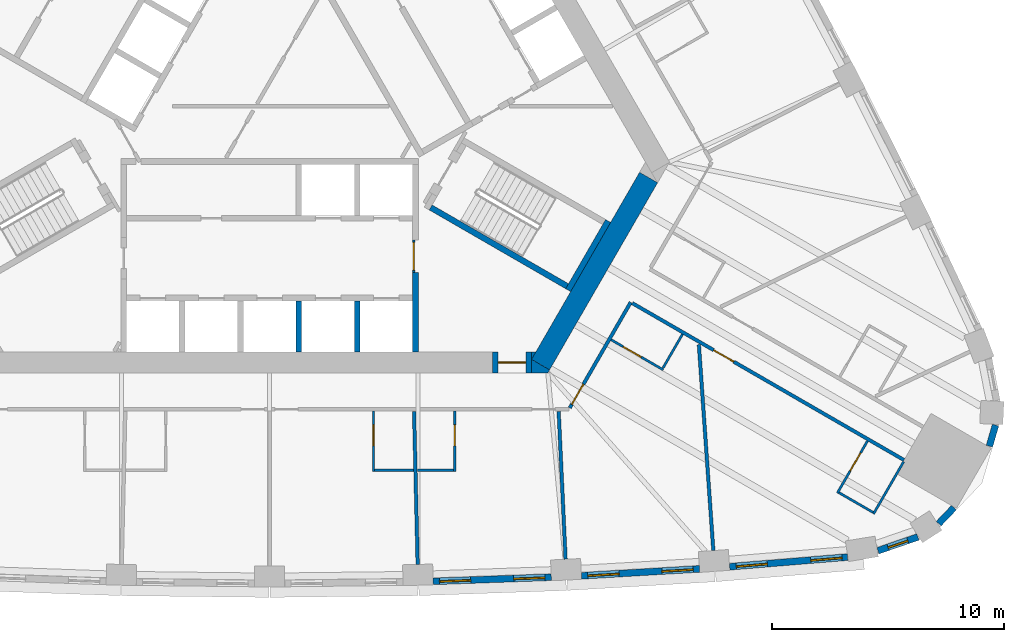
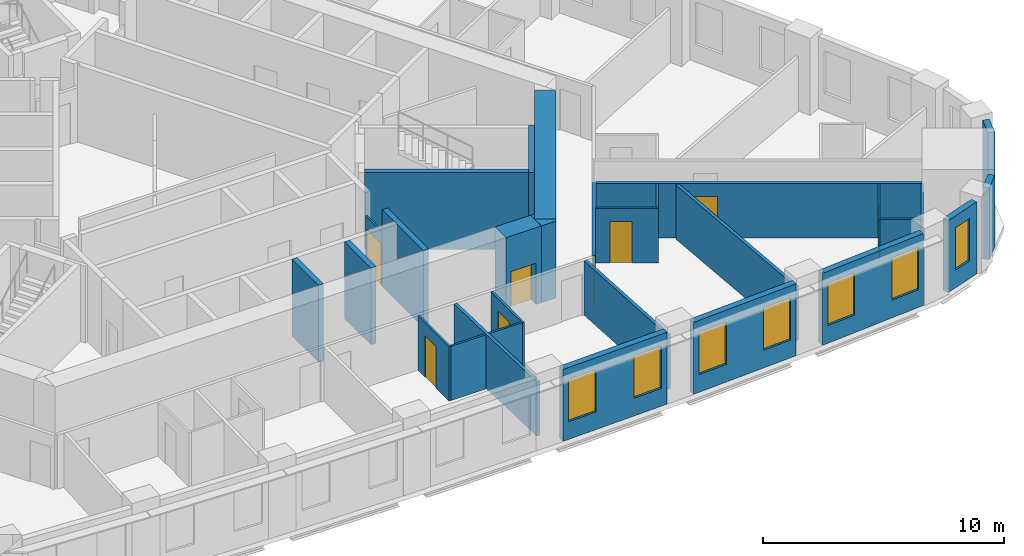
# One storey, part 7 of 13: 30 walls, 8 doors, 7 windows, 15 openings.
"""IFC4 building model written with IfcOpenShell, lengths in metres."""

from ifc_helpers import new_model, si_unit, direction, frame, frame_2d, origin, place, context, subcontext, project, spatial, polyline, rectangle, outline, extrude, material, layer, layer_set, type_object, element, fill, save


model = new_model("IFC4")

# Units and contexts
model_context = context("Model", 3, precision=1e-05, world=origin(), true_north=direction((0.0, 1.0)))
body_context = subcontext(model_context, "Body", "Model", "MODEL_VIEW")
ifc_project = project(units=[si_unit("LENGTHUNIT", "METRE"), si_unit("AREAUNIT", "SQUARE_METRE"), si_unit("VOLUMEUNIT", "CUBIC_METRE"), si_unit("PLANEANGLEUNIT", "RADIAN"), si_unit("MASSUNIT", "GRAM", prefix="KILO")], contexts=[model_context])

# Site, building, storey
site_placement = place(None, origin())
site = spatial("IfcSite", under=ifc_project, at=site_placement, CompositionType="ELEMENT")
building_placement = place(site_placement, origin())
building = spatial("IfcBuilding", under=site, at=building_placement, Name="Mestral Congress Tower", CompositionType="ELEMENT")
storey_placement = place(building_placement, frame((0.0, 0.0, 95.39990234375)))
storey = spatial("IfcBuildingStorey", under=building, at=storey_placement, Name="L22", CompositionType="ELEMENT", Elevation=95.39990234375)

# Wall, opening, door
ifc_material_1 = material(Name="Fire-rated board partition")
ifc_layer_1 = layer(ifc_material_1, 0.090087890625)
ifc_layer_set_1 = layer_set([ifc_layer_1], Name="Fire-rated board partition")
wall_type_1 = type_object("IfcWallType", Name="Core partition 150 door-wall 90", PredefinedType="PARTITIONING", material=ifc_layer_set_1)
wall_1_placement = place(storey_placement, frame((6.219970703125, -7.266357421875, 0.0), z_axis=(0.0, 0.0, 1.0), x_axis=(0.0, -1.0, 0.0)))
wall_1 = element("IfcWall", 1, at=wall_1_placement, inside=storey, type_object=wall_type_1, Name="L22 door wall", PredefinedType="PARTITIONING", context=body_context, shape_type="SweptSolid", body=[
    extrude(rectangle(XDim=1.400146484375, YDim=0.090087890625, at=frame_2d((0.7001953125, 0.0))), origin(), (0.0, 0.0, 1.0), 2.75),
])
opening_1_placement = place(wall_1_placement, frame((0.10009765625, 0.0, 0.0)))
opening_1 = element("IfcOpeningElement", 2, at=opening_1_placement, cuts=wall_1, Name="Opening LB0-WL1", PredefinedType="OPENING", context=body_context, shape_type="SweptSolid", body=[
    extrude(rectangle(XDim=1.199951171875, YDim=2.10009765625, at=frame_2d((0.60009765625, 1.050048828125))), frame((0.0, 0.054931640625, 0.0), z_axis=(0.0, -1.0, 0.0), x_axis=(1.0, 0.0, 0.0)), (0.0, 0.0, 1.0), 0.110107421875),
])
ifc_material_2 = material(Name="Fire-rated steel door set", Category="steel")
door_type_1 = type_object("IfcDoorType", Name="Core door LB 1200x2100", OperationType="SINGLE_SWING_LEFT", PredefinedType="DOOR", material=ifc_material_2)
door_1_placement = place(opening_1_placement, origin())
door_1 = element("IfcDoor", 3, at=door_1_placement, inside=storey, type_object=door_type_1, Name="Door LB0-WL1", OperationType="SINGLE_SWING_LEFT", OverallHeight=2.10009765625, OverallWidth=1.199951171875, PredefinedType="DOOR", context=body_context, shape_type="SweptSolid", body=[
    extrude(rectangle(XDim=1.199951171875, YDim=2.10009765625, at=frame_2d((0.60009765625, 1.050048828125))), frame((0.0, 0.02490234375, 0.0), z_axis=(0.0, -1.0, 0.0), x_axis=(1.0, 0.0, 0.0)), (0.0, 0.0, 1.0), 0.050048828125),
])
fill(opening_1, door_1)

# Walls
ifc_material_3 = material(Name="Concrete C60/75", Category="concrete")
ifc_layer_2 = layer(ifc_material_3, 0.89990234375)
ifc_layer_set_2 = layer_set([ifc_layer_2], Name="Concrete C60/75")
wall_type_2 = type_object("IfcWallType", Name="Core wall RC 900", PredefinedType="SOLIDWALL", material=ifc_layer_set_2)
wall_2_placement = place(storey_placement, frame((11.69482421875, -12.643798828125, 0.0), z_axis=(0.0, 0.0, 1.0), x_axis=(0.500010229568, 0.86601949766, 0.0)))
element("IfcWall", 4, at=wall_2_placement, inside=storey, type_object=wall_type_2, Name="L22 core wall", PredefinedType="SOLIDWALL", context=body_context, shape_type="SweptSolid", body=[
    extrude(rectangle(XDim=9.326416015625, YDim=0.89990234375, at=frame_2d((4.6630859375, 0.0))), origin(), (0.0, 0.0, 1.0), 3.900146484375),
])
placement = place(storey_placement, origin())
element("IfcWall", 5, at=placement, inside=storey, type_object=wall_type_2, Name="L22 core wall", PredefinedType="SOLIDWALL", context=body_context, shape_type="SweptSolid", body=[
    extrude(outline(polyline([(12.0087890625, -13.0), (11.31201171875, -13.0), (11.31201171875, -12.425048828125), (12.08349609375, -12.87060546875), (12.0087890625, -13.0)])), origin(), (0.0, 0.0, 1.0), 3.900146484375),
])
element("IfcWall", 6, at=placement, inside=storey, type_object=wall_type_2, Name="L22 core wall", PredefinedType="SOLIDWALL", context=body_context, shape_type="SweptSolid", body=[
    extrude(outline(polyline([(11.4892578125, -12.10009765625), (11.31201171875, -12.4072265625), (11.31201171875, -12.10009765625), (11.4892578125, -12.10009765625)])), origin(), (0.0, 0.0, 1.0), 3.900146484375),
])

# Wall, opening, door
wall_5_placement = place(storey_placement, frame((11.311767578125, -12.550048828125, 0.0), z_axis=(0.0, 0.0, 1.0), x_axis=(-1.0, 0.0, 0.0)))
wall_5 = element("IfcWall", 7, at=wall_5_placement, inside=storey, type_object=wall_type_2, Name="L22 door wall", PredefinedType="SOLIDWALL", context=body_context, shape_type="SweptSolid", body=[
    extrude(rectangle(XDim=1.699951171875, YDim=0.89990234375, at=frame_2d((0.85009765625, 0.0))), origin(), (0.0, 0.0, 1.0), 3.900146484375),
])
opening_2_placement = place(wall_5_placement, frame((0.25, 0.0, 0.0)))
opening_2 = element("IfcOpeningElement", 8, at=opening_2_placement, cuts=wall_5, Name="Opening XD1", PredefinedType="OPENING", context=body_context, shape_type="SweptSolid", body=[
    extrude(rectangle(XDim=1.199951171875, YDim=2.10009765625, at=frame_2d((0.60009765625, 1.050048828125))), frame((0.0, 0.4599609375, 0.0), z_axis=(0.0, -1.0, 0.0), x_axis=(1.0, 0.0, 0.0)), (0.0, 0.0, 1.0), 0.919921875),
])
door_type_2 = type_object("IfcDoorType", Name="Core door XD 1200x2100", OperationType="SINGLE_SWING_LEFT", PredefinedType="DOOR", material=ifc_material_2)
door_2_placement = place(opening_2_placement, origin())
door_2 = element("IfcDoor", 9, at=door_2_placement, inside=storey, type_object=door_type_2, Name="Door XD1", OperationType="SINGLE_SWING_LEFT", OverallHeight=2.10009765625, OverallWidth=1.199951171875, PredefinedType="DOOR", context=body_context, shape_type="SweptSolid", body=[
    extrude(rectangle(XDim=1.199951171875, YDim=2.10009765625, at=frame_2d((0.60009765625, 1.050048828125))), frame((0.0, 0.02490234375, 0.0), z_axis=(0.0, -1.0, 0.0), x_axis=(1.0, 0.0, 0.0)), (0.0, 0.0, 1.0), 0.050048828125),
])
fill(opening_2, door_2)

# Wall, openings, windows
ifc_material_4 = material(Name="Precast concrete C40/50 with limestone facing", Category="masonry")
ifc_layer_3 = layer(ifc_material_4, 0.2900390625)
ifc_layer_set_3 = layer_set([ifc_layer_3], Name="Precast concrete C40/50 with limestone facing")
wall_type_3 = type_object("IfcWallType", Name="Facade stone wall 290", PredefinedType="SOLIDWALL", material=ifc_layer_set_3)
wall_6_placement = place(storey_placement, frame((7.059326171875, -22.000732421875, 0.0), z_axis=(0.0, 0.0, 1.0), x_axis=(0.999385993957, 0.035037623812, 0.0)))
wall_6 = element("IfcWall", 10, at=wall_6_placement, inside=storey, type_object=wall_type_3, Name="Facade wall F0-05", PredefinedType="SOLIDWALL", context=body_context, shape_type="SweptSolid", body=[
    extrude(rectangle(XDim=5.1005859375, YDim=0.2900390625, at=frame_2d((2.55029296875, 0.0))), origin(), (0.0, 0.0, 1.0), 3.650146484375),
])
opening_3_placement = place(wall_6_placement, frame((0.272705078125, 0.0, 0.89990234375)))
opening_3 = element("IfcOpeningElement", 11, at=opening_3_placement, cuts=wall_6, Name="Opening W2", PredefinedType="OPENING", context=body_context, shape_type="SweptSolid", body=[
    extrude(rectangle(XDim=1.35009765625, YDim=2.14990234375, at=frame_2d((0.675048828125, 1.074951171875))), frame((0.0, 0.155029296875, 0.0), z_axis=(0.0, -1.0, 0.0), x_axis=(1.0, 0.0, 0.0)), (0.0, 0.0, 1.0), 0.31005859375),
])
opening_4_placement = place(wall_6_placement, frame((3.477783203125, 0.0, 0.89990234375)))
opening_4 = element("IfcOpeningElement", 12, at=opening_4_placement, cuts=wall_6, Name="Opening W2", PredefinedType="OPENING", context=body_context, shape_type="SweptSolid", body=[
    extrude(rectangle(XDim=1.35009765625, YDim=2.14990234375, at=frame_2d((0.675048828125, 1.074951171875))), frame((0.0, 0.155029296875, 0.0), z_axis=(0.0, -1.0, 0.0), x_axis=(1.0, 0.0, 0.0)), (0.0, 0.0, 1.0), 0.31005859375),
])
ifc_material_5 = material(Name="Clear low-emissivity double glazing", Category="glass")
window_type_1 = type_object("IfcWindowType", Name="Facade punched window 1350 x 2150 sill 900", PartitioningType="DOUBLE_PANEL_VERTICAL", PredefinedType="WINDOW", material=ifc_material_5)
window_1_placement = place(opening_3_placement, origin())
window_1 = element("IfcWindow", 13, at=window_1_placement, inside=storey, type_object=window_type_1, Name="Window F0-05a", OverallHeight=2.14990234375, OverallWidth=1.35009765625, PartitioningType="DOUBLE_PANEL_VERTICAL", PredefinedType="WINDOW", context=body_context, shape_type="SweptSolid", body=[
    extrude(rectangle(XDim=1.35009765625, YDim=2.14990234375, at=frame_2d((0.675048828125, 1.074951171875))), frame((0.0, 0.01513671875, 0.0), z_axis=(0.0, -1.0, 0.0), x_axis=(1.0, 0.0, 0.0)), (0.0, 0.0, 1.0), 0.06005859375),
])
fill(opening_3, window_1)
window_2_placement = place(opening_4_placement, origin())
window_2 = element("IfcWindow", 14, at=window_2_placement, inside=storey, type_object=window_type_1, Name="Window F0-05b", OverallHeight=2.14990234375, OverallWidth=1.35009765625, PartitioningType="DOUBLE_PANEL_VERTICAL", PredefinedType="WINDOW", context=body_context, shape_type="SweptSolid", body=[
    extrude(rectangle(XDim=1.35009765625, YDim=2.14990234375, at=frame_2d((0.675048828125, 1.074951171875))), frame((0.0, 0.01513671875, 0.0), z_axis=(0.0, -1.0, 0.0), x_axis=(1.0, 0.0, 0.0)), (0.0, 0.0, 1.0), 0.06005859375),
])
fill(opening_4, window_2)

wall_7_placement = place(storey_placement, frame((13.4619140625, -21.760986328125, 0.0), z_axis=(0.0, 0.0, 1.0), x_axis=(0.998290511436, 0.058447025388, 0.0)))
wall_7 = element("IfcWall", 15, at=wall_7_placement, inside=storey, type_object=wall_type_3, Name="Facade wall F0-06", PredefinedType="SOLIDWALL", context=body_context, shape_type="SweptSolid", body=[
    extrude(rectangle(XDim=5.100341796875, YDim=0.2900390625, at=frame_2d((2.55029296875, 0.0))), origin(), (0.0, 0.0, 1.0), 3.650146484375),
])
opening_5_placement = place(wall_7_placement, frame((0.2724609375, 0.0, 0.89990234375)))
opening_5 = element("IfcOpeningElement", 16, at=opening_5_placement, cuts=wall_7, Name="Opening W2", PredefinedType="OPENING", context=body_context, shape_type="SweptSolid", body=[
    extrude(rectangle(XDim=1.35009765625, YDim=2.14990234375, at=frame_2d((0.675048828125, 1.074951171875))), frame((0.0, 0.155029296875, 0.0), z_axis=(0.0, -1.0, 0.0), x_axis=(1.0, 0.0, 0.0)), (0.0, 0.0, 1.0), 0.31005859375),
])
opening_6_placement = place(wall_7_placement, frame((3.477783203125, 0.0, 0.89990234375)))
opening_6 = element("IfcOpeningElement", 17, at=opening_6_placement, cuts=wall_7, Name="Opening W2", PredefinedType="OPENING", context=body_context, shape_type="SweptSolid", body=[
    extrude(rectangle(XDim=1.35009765625, YDim=2.14990234375, at=frame_2d((0.675048828125, 1.074951171875))), frame((0.0, 0.155029296875, 0.0), z_axis=(0.0, -1.0, 0.0), x_axis=(1.0, 0.0, 0.0)), (0.0, 0.0, 1.0), 0.31005859375),
])
window_3_placement = place(opening_5_placement, origin())
window_3 = element("IfcWindow", 18, at=window_3_placement, inside=storey, type_object=window_type_1, Name="Window F0-06a", OverallHeight=2.14990234375, OverallWidth=1.35009765625, PartitioningType="DOUBLE_PANEL_VERTICAL", PredefinedType="WINDOW", context=body_context, shape_type="SweptSolid", body=[
    extrude(rectangle(XDim=1.35009765625, YDim=2.14990234375, at=frame_2d((0.675048828125, 1.074951171875))), frame((0.0, 0.01513671875, 0.0), z_axis=(0.0, -1.0, 0.0), x_axis=(1.0, 0.0, 0.0)), (0.0, 0.0, 1.0), 0.06005859375),
])
fill(opening_5, window_3)
window_4_placement = place(opening_6_placement, origin())
window_4 = element("IfcWindow", 19, at=window_4_placement, inside=storey, type_object=window_type_1, Name="Window F0-06b", OverallHeight=2.14990234375, OverallWidth=1.35009765625, PartitioningType="DOUBLE_PANEL_VERTICAL", PredefinedType="WINDOW", context=body_context, shape_type="SweptSolid", body=[
    extrude(rectangle(XDim=1.35009765625, YDim=2.14990234375, at=frame_2d((0.675048828125, 1.074951171875))), frame((0.0, 0.01513671875, 0.0), z_axis=(0.0, -1.0, 0.0), x_axis=(1.0, 0.0, 0.0)), (0.0, 0.0, 1.0), 0.06005859375),
])
fill(opening_6, window_4)

wall_8_placement = place(storey_placement, frame((19.856689453125, -21.37109375, 0.0), z_axis=(0.0, 0.0, 1.0), x_axis=(0.99665273362, 0.081751627308, 0.0)))
wall_8 = element("IfcWall", 20, at=wall_8_placement, inside=storey, type_object=wall_type_3, Name="Facade wall F0-07", PredefinedType="SOLIDWALL", context=body_context, shape_type="SweptSolid", body=[
    extrude(rectangle(XDim=5.106689453125, YDim=0.2900390625, at=frame_2d((2.55322265625, 0.0))), origin(), (0.0, 0.0, 1.0), 3.650146484375),
])
opening_7_placement = place(wall_8_placement, frame((0.285400390625, 0.0, 0.89990234375)))
opening_7 = element("IfcOpeningElement", 21, at=opening_7_placement, cuts=wall_8, Name="Opening W2", PredefinedType="OPENING", context=body_context, shape_type="SweptSolid", body=[
    extrude(rectangle(XDim=1.35009765625, YDim=2.14990234375, at=frame_2d((0.675048828125, 1.074951171875))), frame((0.0, 0.155029296875, 0.0), z_axis=(0.0, -1.0, 0.0), x_axis=(1.0, 0.0, 0.0)), (0.0, 0.0, 1.0), 0.31005859375),
])
opening_8_placement = place(wall_8_placement, frame((3.51611328125, 0.0, 0.89990234375)))
opening_8 = element("IfcOpeningElement", 22, at=opening_8_placement, cuts=wall_8, Name="Opening W2", PredefinedType="OPENING", context=body_context, shape_type="SweptSolid", body=[
    extrude(rectangle(XDim=1.35009765625, YDim=2.14990234375, at=frame_2d((0.675048828125, 1.074951171875))), frame((0.0, 0.155029296875, 0.0), z_axis=(0.0, -1.0, 0.0), x_axis=(1.0, 0.0, 0.0)), (0.0, 0.0, 1.0), 0.31005859375),
])
window_5_placement = place(opening_7_placement, origin())
window_5 = element("IfcWindow", 23, at=window_5_placement, inside=storey, type_object=window_type_1, Name="Window F0-07a", OverallHeight=2.14990234375, OverallWidth=1.35009765625, PartitioningType="DOUBLE_PANEL_VERTICAL", PredefinedType="WINDOW", context=body_context, shape_type="SweptSolid", body=[
    extrude(rectangle(XDim=1.35009765625, YDim=2.14990234375, at=frame_2d((0.675048828125, 1.074951171875))), frame((0.0, 0.01513671875, 0.0), z_axis=(0.0, -1.0, 0.0), x_axis=(1.0, 0.0, 0.0)), (0.0, 0.0, 1.0), 0.06005859375),
])
fill(opening_7, window_5)
window_6_placement = place(opening_8_placement, origin())
window_6 = element("IfcWindow", 24, at=window_6_placement, inside=storey, type_object=window_type_1, Name="Window F0-07b", OverallHeight=2.14990234375, OverallWidth=1.35009765625, PartitioningType="DOUBLE_PANEL_VERTICAL", PredefinedType="WINDOW", context=body_context, shape_type="SweptSolid", body=[
    extrude(rectangle(XDim=1.35009765625, YDim=2.14990234375, at=frame_2d((0.675048828125, 1.074951171875))), frame((0.0, 0.01513671875, 0.0), z_axis=(0.0, -1.0, 0.0), x_axis=(1.0, 0.0, 0.0)), (0.0, 0.0, 1.0), 0.06005859375),
])
fill(opening_8, window_6)

# Wall, opening, window
wall_9_placement = place(storey_placement, frame((26.260986328125, -20.67919921875, 0.0), z_axis=(0.0, 0.0, 1.0), x_axis=(0.945385815453, 0.325953462844, 0.0)))
wall_9 = element("IfcWall", 25, at=wall_9_placement, inside=storey, type_object=wall_type_3, Name="Facade wall K0-0", PredefinedType="SOLIDWALL", context=body_context, shape_type="SweptSolid", body=[
    extrude(rectangle(XDim=1.8193359375, YDim=0.2900390625, at=frame_2d((0.90966796875, 0.0))), origin(), (0.0, 0.0, 1.0), 3.650146484375),
])
opening_9_placement = place(wall_9_placement, frame((0.459716796875, 0.0, 0.89990234375)))
opening_9 = element("IfcOpeningElement", 26, at=opening_9_placement, cuts=wall_9, Name="Opening W3", PredefinedType="OPENING", context=body_context, shape_type="SweptSolid", body=[
    extrude(rectangle(XDim=0.89990234375, YDim=2.14990234375, at=frame_2d((0.449951171875, 1.074951171875))), frame((0.0, 0.155029296875, 0.0), z_axis=(0.0, -1.0, 0.0), x_axis=(1.0, 0.0, 0.0)), (0.0, 0.0, 1.0), 0.31005859375),
])
window_type_2 = type_object("IfcWindowType", Name="Facade punched window 900 x 2150 sill 900", PartitioningType="SINGLE_PANEL", PredefinedType="WINDOW", material=ifc_material_5)
window_7_placement = place(opening_9_placement, origin())
window_7 = element("IfcWindow", 27, at=window_7_placement, inside=storey, type_object=window_type_2, Name="Window K0-0", OverallHeight=2.14990234375, OverallWidth=0.89990234375, PartitioningType="SINGLE_PANEL", PredefinedType="WINDOW", context=body_context, shape_type="SweptSolid", body=[
    extrude(rectangle(XDim=0.89990234375, YDim=2.14990234375, at=frame_2d((0.449951171875, 1.074951171875))), frame((0.0, 0.01513671875, 0.0), z_axis=(0.0, -1.0, 0.0), x_axis=(1.0, 0.0, 0.0)), (0.0, 0.0, 1.0), 0.06005859375),
])
fill(opening_9, window_7)

# Walls
wall_10_placement = place(storey_placement, frame((28.88037109375, -19.50927734375, 0.0), z_axis=(0.0, 0.0, 1.0), x_axis=(0.690414427296, 0.723414071319, 0.0)))
element("IfcWall", 28, at=wall_10_placement, inside=storey, type_object=wall_type_3, Name="Facade wall K0-1", PredefinedType="SOLIDWALL", context=body_context, shape_type="SweptSolid", body=[
    extrude(rectangle(XDim=0.947021484375, YDim=0.2900390625, at=frame_2d((0.4736328125, 0.0))), origin(), (0.0, 0.0, 1.0), 3.650146484375),
])
wall_11_placement = place(storey_placement, frame((31.069091796875, -16.165283203125, 0.0), z_axis=(0.0, 0.0, 1.0), x_axis=(0.281454582132, 0.95957455062, 0.0)))
element("IfcWall", 29, at=wall_11_placement, inside=storey, type_object=wall_type_3, Name="Facade wall K0-2", PredefinedType="SOLIDWALL", context=body_context, shape_type="SweptSolid", body=[
    extrude(rectangle(XDim=0.947265625, YDim=0.2900390625, at=frame_2d((0.4736328125, 0.0))), origin(), (0.0, 0.0, 1.0), 3.650146484375),
])

# Wall, opening, door
ifc_material_6 = material(Name="Gypsum board partition on metal studs with mineral wool", Category="composite")
ifc_layer_4 = layer(ifc_material_6, 0.10009765625)
ifc_layer_set_4 = layer_set([ifc_layer_4], Name="Gypsum board partition on metal studs with mineral wool")
wall_type_4 = type_object("IfcWallType", Name="Hotel partition wall 100", PredefinedType="PARTITIONING", material=ifc_layer_set_4)
wall_12_placement = place(storey_placement, frame((4.480224609375, -14.64990234375, 0.0), z_axis=(0.0, 0.0, 1.0), x_axis=(0.0, -1.0, 0.0)))
wall_12 = element("IfcWall", 30, at=wall_12_placement, inside=storey, type_object=wall_type_4, Name="L22-h-pod05a", PredefinedType="PARTITIONING", context=body_context, shape_type="SweptSolid", body=[
    extrude(rectangle(XDim=2.60009765625, YDim=0.10009765625, at=frame_2d((1.300048828125, 0.0))), origin(), (0.0, 0.0, 1.0), 2.75),
])
opening_10_placement = place(wall_12_placement, frame((0.60009765625, 0.0, 0.0)))
opening_10 = element("IfcOpeningElement", 31, at=opening_10_placement, cuts=wall_12, Name="Opening H07-010", PredefinedType="OPENING", context=body_context, shape_type="SweptSolid", body=[
    extrude(rectangle(XDim=0.89990234375, YDim=2.10009765625, at=frame_2d((0.449951171875, 1.050048828125))), frame((0.0, 0.06005859375, 0.0), z_axis=(0.0, -1.0, 0.0), x_axis=(1.0, 0.0, 0.0)), (0.0, 0.0, 1.0), 0.1201171875),
])
ifc_material_7 = material(Name="Timber veneer door leaf in timber frame", Category="wood")
door_type_3 = type_object("IfcDoorType", Name="Bathroom door 900", OperationType="SINGLE_SWING_LEFT", PredefinedType="DOOR", material=ifc_material_7)
door_3_placement = place(opening_10_placement, origin())
door_3 = element("IfcDoor", 32, at=door_3_placement, inside=storey, type_object=door_type_3, Name="L22-h-d010", OperationType="SINGLE_SWING_LEFT", OverallHeight=2.10009765625, OverallWidth=0.89990234375, PredefinedType="DOOR", context=body_context, shape_type="SweptSolid", body=[
    extrude(rectangle(XDim=0.89990234375, YDim=2.10009765625, at=frame_2d((0.449951171875, 1.050048828125))), frame((0.0, 0.02490234375, 0.0), z_axis=(0.0, -1.0, 0.0), x_axis=(1.0, 0.0, 0.0)), (0.0, 0.0, 1.0), 0.050048828125),
])
fill(opening_10, door_3)

# Wall
wall_13_placement = place(storey_placement, frame((4.5302734375, -17.199951171875, 0.0), z_axis=(0.0, 0.0, 1.0), x_axis=(1.0, 0.0, 0.0)))
element("IfcWall", 33, at=wall_13_placement, inside=storey, type_object=wall_type_4, Name="L22-h-pod05b", PredefinedType="PARTITIONING", context=body_context, shape_type="SweptSolid", body=[
    extrude(rectangle(XDim=1.679931640625, YDim=0.10009765625, at=frame_2d((0.83984375, 0.0))), origin(), (0.0, 0.0, 1.0), 2.75),
])

# Wall, opening, door
wall_14_placement = place(storey_placement, frame((7.98779296875, -17.25, 0.0), z_axis=(0.0, 0.0, 1.0), x_axis=(0.0, 1.0, 0.0)))
wall_14 = element("IfcWall", 34, at=wall_14_placement, inside=storey, type_object=wall_type_4, Name="L22-h-pod06a", PredefinedType="PARTITIONING", context=body_context, shape_type="SweptSolid", body=[
    extrude(rectangle(XDim=2.60009765625, YDim=0.10009765625, at=frame_2d((1.300048828125, 0.0))), origin(), (0.0, 0.0, 1.0), 2.75),
])
opening_11_placement = place(wall_14_placement, frame((1.10009765625, 0.0, 0.0)))
opening_11 = element("IfcOpeningElement", 35, at=opening_11_placement, cuts=wall_14, Name="Opening H07-012", PredefinedType="OPENING", context=body_context, shape_type="SweptSolid", body=[
    extrude(rectangle(XDim=0.89990234375, YDim=2.10009765625, at=frame_2d((0.449951171875, 1.050048828125))), frame((0.0, 0.06005859375, 0.0), z_axis=(0.0, -1.0, 0.0), x_axis=(1.0, 0.0, 0.0)), (0.0, 0.0, 1.0), 0.1201171875),
])
door_4_placement = place(opening_11_placement, origin())
door_4 = element("IfcDoor", 36, at=door_4_placement, inside=storey, type_object=door_type_3, Name="L22-h-d012", OperationType="SINGLE_SWING_RIGHT", OverallHeight=2.10009765625, OverallWidth=0.89990234375, PredefinedType="DOOR", context=body_context, shape_type="SweptSolid", body=[
    extrude(rectangle(XDim=0.89990234375, YDim=2.10009765625, at=frame_2d((0.449951171875, 1.050048828125))), frame((0.0, 0.02490234375, 0.0), z_axis=(0.0, -1.0, 0.0), x_axis=(1.0, 0.0, 0.0)), (0.0, 0.0, 1.0), 0.050048828125),
])
fill(opening_11, door_4)

# Wall
wall_15_placement = place(storey_placement, frame((7.937744140625, -17.199951171875, 0.0), z_axis=(0.0, 0.0, 1.0), x_axis=(-1.0, 0.0, 0.0)))
element("IfcWall", 37, at=wall_15_placement, inside=storey, type_object=wall_type_4, Name="L22-h-pod06b", PredefinedType="PARTITIONING", context=body_context, shape_type="SweptSolid", body=[
    extrude(rectangle(XDim=1.56005859375, YDim=0.10009765625, at=frame_2d((0.780029296875, 0.0))), origin(), (0.0, 0.0, 1.0), 2.75),
])

# Wall, opening, door
wall_16_placement = place(storey_placement, frame((14.739501953125, -11.5703125, 0.0), z_axis=(0.0, 0.0, 1.0), x_axis=(0.866021400173, -0.500006934395, 0.0)))
wall_16 = element("IfcWall", 38, at=wall_16_placement, inside=storey, type_object=wall_type_4, Name="L22-h-pod07a", PredefinedType="PARTITIONING", context=body_context, shape_type="SweptSolid", body=[
    extrude(rectangle(XDim=2.60009765625, YDim=0.10009765625, at=frame_2d((1.300048828125, 0.0))), origin(), (0.0, 0.0, 1.0), 2.75),
])
opening_12_placement = place(wall_16_placement, frame((0.60009765625, 0.0, 0.0)))
opening_12 = element("IfcOpeningElement", 39, at=opening_12_placement, cuts=wall_16, Name="Opening H07-014", PredefinedType="OPENING", context=body_context, shape_type="SweptSolid", body=[
    extrude(rectangle(XDim=0.89990234375, YDim=2.10009765625, at=frame_2d((0.449951171875, 1.050048828125))), frame((0.0, 0.06005859375, 0.0), z_axis=(0.0, -1.0, 0.0), x_axis=(1.0, 0.0, 0.0)), (0.0, 0.0, 1.0), 0.1201171875),
])
door_5_placement = place(opening_12_placement, origin())
door_5 = element("IfcDoor", 40, at=door_5_placement, inside=storey, type_object=door_type_3, Name="L22-h-d014", OperationType="SINGLE_SWING_LEFT", OverallHeight=2.10009765625, OverallWidth=0.89990234375, PredefinedType="DOOR", context=body_context, shape_type="SweptSolid", body=[
    extrude(rectangle(XDim=0.89990234375, YDim=2.10009765625, at=frame_2d((0.449951171875, 1.050048828125))), frame((0.0, 0.02490234375, 0.0), z_axis=(0.0, -1.0, 0.0), x_axis=(1.0, 0.0, 0.0)), (0.0, 0.0, 1.0), 0.050048828125),
])
fill(opening_12, door_5)

# Wall
wall_17_placement = place(storey_placement, frame((16.977783203125, -12.793212890625, 0.0), z_axis=(0.0, 0.0, 1.0), x_axis=(0.500147619332, 0.865940158947, 0.0)))
element("IfcWall", 41, at=wall_17_placement, inside=storey, type_object=wall_type_4, Name="L22-h-pod07b", PredefinedType="PARTITIONING", context=body_context, shape_type="SweptSolid", body=[
    extrude(rectangle(XDim=1.68994140625, YDim=0.10009765625, at=frame_2d((0.844970703125, 0.0))), origin(), (0.0, 0.0, 1.0), 2.75),
])

# Wall, opening, door
wall_18_placement = place(storey_placement, frame((25.806640625, -15.938720703125, 0.0), z_axis=(0.0, 0.0, 1.0), x_axis=(-0.500006934395, -0.866021400173, 0.0)))
wall_18 = element("IfcWall", 42, at=wall_18_placement, inside=storey, type_object=wall_type_4, Name="L22-h-pod08a", PredefinedType="PARTITIONING", context=body_context, shape_type="SweptSolid", body=[
    extrude(rectangle(XDim=2.60009765625, YDim=0.10009765625, at=frame_2d((1.300048828125, 0.0))), origin(), (0.0, 0.0, 1.0), 2.75),
])
opening_13_placement = place(wall_18_placement, frame((0.60009765625, 0.0, 0.0)))
opening_13 = element("IfcOpeningElement", 43, at=opening_13_placement, cuts=wall_18, Name="Opening H07-016", PredefinedType="OPENING", context=body_context, shape_type="SweptSolid", body=[
    extrude(rectangle(XDim=0.89990234375, YDim=2.10009765625, at=frame_2d((0.449951171875, 1.050048828125))), frame((0.0, 0.06005859375, 0.0), z_axis=(0.0, -1.0, 0.0), x_axis=(1.0, 0.0, 0.0)), (0.0, 0.0, 1.0), 0.1201171875),
])
door_6_placement = place(opening_13_placement, origin())
door_6 = element("IfcDoor", 44, at=door_6_placement, inside=storey, type_object=door_type_3, Name="L22-h-d016", OperationType="SINGLE_SWING_LEFT", OverallHeight=2.10009765625, OverallWidth=0.89990234375, PredefinedType="DOOR", context=body_context, shape_type="SweptSolid", body=[
    extrude(rectangle(XDim=0.89990234375, YDim=2.10009765625, at=frame_2d((0.449951171875, 1.050048828125))), frame((0.0, 0.02490234375, 0.0), z_axis=(0.0, -1.0, 0.0), x_axis=(1.0, 0.0, 0.0)), (0.0, 0.0, 1.0), 0.050048828125),
])
fill(opening_13, door_6)

# Walls
wall_19_placement = place(storey_placement, frame((24.574951171875, -18.172119140625, 0.0), z_axis=(0.0, 0.0, 1.0), x_axis=(0.865989465428, -0.500062241894, 0.0)))
element("IfcWall", 45, at=wall_19_placement, inside=storey, type_object=wall_type_4, Name="L22-h-pod08b", PredefinedType="PARTITIONING", context=body_context, shape_type="SweptSolid", body=[
    extrude(rectangle(XDim=1.699951171875, YDim=0.10009765625, at=frame_2d((0.85009765625, 0.0))), origin(), (0.0, 0.0, 1.0), 2.75),
])
wall_20_placement = place(storey_placement, frame((27.365478515625, -16.838623046875, 0.0), z_axis=(0.0, 0.0, 1.0), x_axis=(-0.500006934395, -0.866021400173, 0.0)))
element("IfcWall", 46, at=wall_20_placement, inside=storey, type_object=wall_type_4, Name="L22-h-pod08c", PredefinedType="PARTITIONING", context=body_context, shape_type="SweptSolid", body=[
    extrude(rectangle(XDim=2.60009765625, YDim=0.10009765625, at=frame_2d((1.300048828125, 0.0))), origin(), (0.0, 0.0, 1.0), 2.75),
])

# Wall, opening, door
ifc_layer_5 = layer(ifc_material_6, 0.14990234375)
ifc_layer_set_5 = layer_set([ifc_layer_5], Name="Gypsum board partition on metal studs with mineral wool")
wall_type_5 = type_object("IfcWallType", Name="Hotel partition wall 150", PredefinedType="PARTITIONING", material=ifc_layer_set_5)
wall_21_placement = place(storey_placement, frame((15.58740234375, -9.951904296875, 0.0), z_axis=(0.0, 0.0, 1.0), x_axis=(-0.500016618951, -0.866015808616, 0.0)))
wall_21 = element("IfcWall", 47, at=wall_21_placement, inside=storey, type_object=wall_type_5, Name="L22-h-cw14", PredefinedType="PARTITIONING", context=body_context, shape_type="SweptSolid", body=[
    extrude(rectangle(XDim=5.268310546875, YDim=0.14990234375, at=frame_2d((2.63427734375, 0.0))), origin(), (0.0, 0.0, 1.0), 2.75),
])
opening_14_placement = place(wall_21_placement, frame((4.088134765625, 0.0, 0.0)))
opening_14 = element("IfcOpeningElement", 48, at=opening_14_placement, cuts=wall_21, Name="Opening H07-013", PredefinedType="OPENING", context=body_context, shape_type="SweptSolid", body=[
    extrude(rectangle(XDim=1.0, YDim=2.10009765625, at=frame_2d((0.5, 1.050048828125))), frame((0.0, 0.0849609375, 0.0), z_axis=(0.0, -1.0, 0.0), x_axis=(1.0, 0.0, 0.0)), (0.0, 0.0, 1.0), 0.169921875),
])
ifc_material_8 = material(Name="Timber veneer door leaf in metal frame", Category="wood")
door_type_4 = type_object("IfcDoorType", Name="Guest room entrance door 1000", OperationType="SINGLE_SWING_LEFT", PredefinedType="DOOR", material=ifc_material_8)
door_7_placement = place(opening_14_placement, origin())
door_7 = element("IfcDoor", 49, at=door_7_placement, inside=storey, type_object=door_type_4, Name="L22-h-d013", OperationType="SINGLE_SWING_RIGHT", OverallHeight=2.10009765625, OverallWidth=1.0, PredefinedType="DOOR", context=body_context, shape_type="SweptSolid", body=[
    extrude(rectangle(XDim=1.0, YDim=2.10009765625, at=frame_2d((0.5, 1.050048828125))), frame((0.0, 0.02490234375, 0.0), z_axis=(0.0, -1.0, 0.0), x_axis=(1.0, 0.0, 0.0)), (0.0, 0.0, 1.0), 0.050048828125),
])
fill(opening_14, door_7)

wall_22_placement = place(storey_placement, frame((27.3857421875, -16.763916015625, 0.0), z_axis=(0.0, 0.0, 1.0), x_axis=(-0.866022585856, 0.500004880763, 0.0)))
wall_22 = element("IfcWall", 50, at=wall_22_placement, inside=storey, type_object=wall_type_5, Name="L22-h-cw15", PredefinedType="PARTITIONING", context=body_context, shape_type="SweptSolid", body=[
    extrude(rectangle(XDim=13.543701171875, YDim=0.14990234375, at=frame_2d((6.77197265625, 0.0))), origin(), (0.0, 0.0, 1.0), 2.75),
])
opening_15_placement = place(wall_22_placement, frame((8.490966796875, 0.0, 0.0)))
opening_15 = element("IfcOpeningElement", 51, at=opening_15_placement, cuts=wall_22, Name="Opening H07-015", PredefinedType="OPENING", context=body_context, shape_type="SweptSolid", body=[
    extrude(rectangle(XDim=1.0, YDim=2.10009765625, at=frame_2d((0.5, 1.050048828125))), frame((0.0, 0.0849609375, 0.0), z_axis=(0.0, -1.0, 0.0), x_axis=(1.0, 0.0, 0.0)), (0.0, 0.0, 1.0), 0.169921875),
])
door_8_placement = place(opening_15_placement, origin())
door_8 = element("IfcDoor", 52, at=door_8_placement, inside=storey, type_object=door_type_4, Name="L22-h-d015", OperationType="SINGLE_SWING_RIGHT", OverallHeight=2.10009765625, OverallWidth=1.0, PredefinedType="DOOR", context=body_context, shape_type="SweptSolid", body=[
    extrude(rectangle(XDim=1.0, YDim=2.10009765625, at=frame_2d((0.5, 1.050048828125))), frame((0.0, 0.02490234375, 0.0), z_axis=(0.0, -1.0, 0.0), x_axis=(1.0, 0.0, 0.0)), (0.0, 0.0, 1.0), 0.050048828125),
])
fill(opening_15, door_8)

# Walls
wall_23_placement = place(storey_placement, frame((6.388916015625, -21.268798828125, 0.0), z_axis=(0.0, 0.0, 1.0), x_axis=(-0.023377429176, 0.999726710559, 0.0)))
element("IfcWall", 53, at=wall_23_placement, inside=storey, type_object=wall_type_5, Name="L22-h-pw19", PredefinedType="PARTITIONING", context=body_context, shape_type="SweptSolid", body=[
    extrude(rectangle(XDim=6.610595703125, YDim=0.14990234375, at=frame_2d((3.30517578125, 0.0))), origin(), (0.0, 0.0, 1.0), 2.75),
])
wall_24_placement = place(storey_placement, frame((12.7744140625, -21.044921875, 0.0), z_axis=(0.0, 0.0, 1.0), x_axis=(-0.046750341626, 0.998906605023, 0.0)))
element("IfcWall", 54, at=wall_24_placement, inside=storey, type_object=wall_type_5, Name="L22-h-pw22", PredefinedType="PARTITIONING", context=body_context, shape_type="SweptSolid", body=[
    extrude(rectangle(XDim=6.39208984375, YDim=0.14990234375, at=frame_2d((3.196044921875, 0.0))), origin(), (0.0, 0.0, 1.0), 2.75),
])
wall_25_placement = place(storey_placement, frame((19.152587890625, -20.67138671875, 0.0), z_axis=(0.0, 0.0, 1.0), x_axis=(-0.070070736723, 0.997542025107, 0.0)))
element("IfcWall", 55, at=wall_25_placement, inside=storey, type_object=wall_type_5, Name="L22-h-pw25", PredefinedType="PARTITIONING", context=body_context, shape_type="SweptSolid", body=[
    extrude(rectangle(XDim=8.9091796875, YDim=0.14990234375, at=frame_2d((4.45458984375, 0.0))), origin(), (0.0, 0.0, 1.0), 2.75),
])
ifc_layer_6 = layer(ifc_material_3, 0.25)
ifc_layer_set_6 = layer_set([ifc_layer_6], Name="Concrete C60/75")
wall_type_6 = type_object("IfcWallType", Name="Shaft wall RC 250", PredefinedType="SOLIDWALL", material=ifc_layer_set_6)
wall_26_placement = place(storey_placement, frame((6.300048828125, -8.669921875, 0.0), z_axis=(0.0, 0.0, 1.0), x_axis=(0.0, -1.0, 0.0)))
element("IfcWall", 56, at=wall_26_placement, inside=storey, type_object=wall_type_6, Name="L22 core wall", PredefinedType="SOLIDWALL", context=body_context, shape_type="SweptSolid", body=[
    extrude(rectangle(XDim=3.43017578125, YDim=0.25, at=frame_2d((1.715087890625, 0.0))), origin(), (0.0, 0.0, 1.0), 3.900146484375),
])
for number, where, z_axis, x_axis, name in (
    (57, (3.780029296875, -12.10009765625, 0.0), (0.0, 0.0, 1.0), (0.0, 1.0, 0.0), "L22 core wall"),
    (58, (1.260009765625, -12.10009765625, 0.0), (0.0, 0.0, 1.0), (0.0, 1.0, 0.0), "L22 core wall"),
):
    element("IfcWall", number, at=place(storey_placement, frame(where, z_axis=z_axis, x_axis=x_axis)), inside=storey, type_object=wall_type_6, Name=name, PredefinedType="SOLIDWALL", context=body_context, shape_type="SweptSolid", body=[
        extrude(rectangle(XDim=2.199951171875, YDim=0.25, at=frame_2d((1.10009765625, 0.0))), origin(), (0.0, 0.0, 1.0), 3.900146484375),
    ])
ifc_layer_7 = layer(ifc_material_3, 0.25)
ifc_layer_set_7 = layer_set([ifc_layer_7], Name="Concrete C60/75")
wall_type_7 = type_object("IfcWallType", Name="Stair wall RC 250", PredefinedType="SOLIDWALL", material=ifc_layer_set_7)
wall_27_placement = place(storey_placement, frame((12.885498046875, -9.431396484375, 0.0), z_axis=(0.0, 0.0, 1.0), x_axis=(0.500020560727, 0.866013532718, 0.0)))
element("IfcWall", 59, at=wall_27_placement, inside=storey, type_object=wall_type_7, Name="L22 core wall", PredefinedType="SOLIDWALL", context=body_context, shape_type="SweptSolid", body=[
    extrude(rectangle(XDim=3.449951171875, YDim=0.25, at=frame_2d((1.72509765625, 0.0))), origin(), (0.0, 0.0, 1.0), 3.900146484375),
])
wall_28_placement = place(storey_placement, frame((12.83984375, -9.2607421875, 0.0), z_axis=(0.0, 0.0, 1.0), x_axis=(-0.866013990052, 0.500019768644, 0.0)))
element("IfcWall", 60, at=wall_28_placement, inside=storey, type_object=wall_type_7, Name="L22 core wall", PredefinedType="SOLIDWALL", context=body_context, shape_type="SweptSolid", body=[
    extrude(rectangle(XDim=6.800048828125, YDim=0.25, at=frame_2d((3.39990234375, 0.0))), origin(), (0.0, 0.0, 1.0), 3.900146484375),
])

save(model, "model.ifc")
